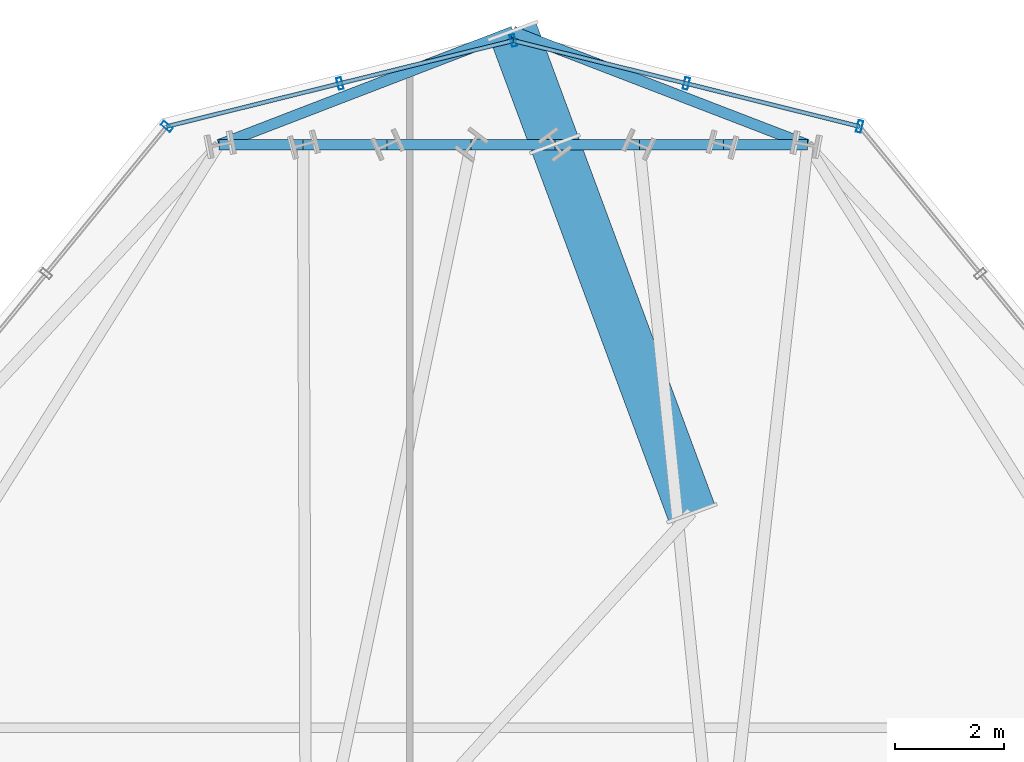
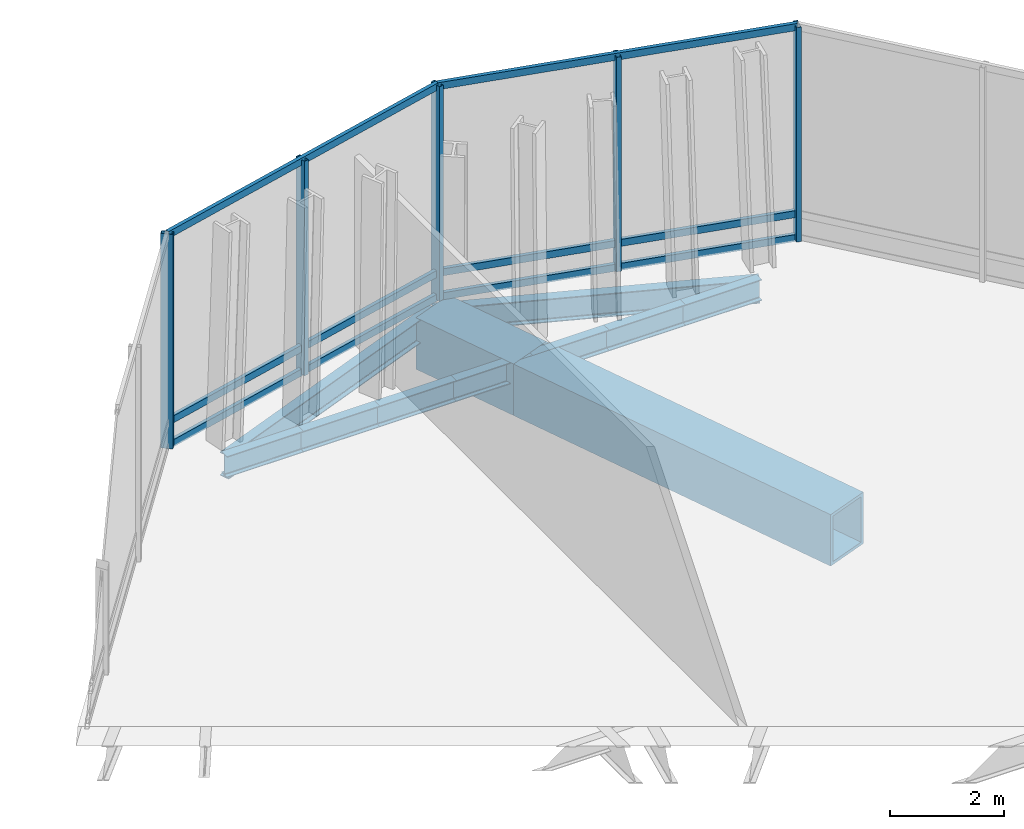
# One storey, part 17 of 26: 11 beams, 11 members, 3 elements without a shape of their own.
"""IFC4 building model written with IfcOpenShell, lengths in metres."""

import ifcopenshell
import ifcopenshell.guid

model = None  # the IFC model being written
_history = None  # IfcOwnerHistory: only IFC2X3 demands one
_inside = {}  # id of a spatial element -> (the spatial element, [elements in it])
_under = {}  # id of a project, library or spatial element -> (it, [spatial elements below it])
_declared = {}  # id of a project -> (the project, [libraries it declares])
_typed = {}  # id of a type object -> (the type object, [elements of that type])
_made_of = {}  # id of a material, layer set ... -> (it, [elements and type objects made of it])


def new_model(schema):
    """Start an empty IFC model of exactly this schema.

    Asked for "IFC4X3", IfcOpenShell would pick the latest addendum, in which some entities
    have other attributes; the version numbers below select the first issue.
    IFC2X3 requires an IfcOwnerHistory on every rooted entity: one is made here for all.
    """
    global model, _history
    if schema == "IFC4X3":
        model = ifcopenshell.file(schema_version=(4, 3, 0, 0))
    else:
        model = ifcopenshell.file(schema=schema)
    _inside.clear()
    _under.clear()
    _declared.clear()
    _typed.clear()
    _made_of.clear()
    _history = None
    if model.schema == "IFC2X3":
        org = make("IfcOrganization", Name="unknown")
        user = make(
            "IfcPersonAndOrganization",
            ThePerson=make("IfcPerson", FamilyName="unknown"),
            TheOrganization=org,
        )
        app = make(
            "IfcApplication",
            ApplicationDeveloper=org,
            Version="unknown",
            ApplicationFullName="unknown",
            ApplicationIdentifier="unknown",
        )
        _history = make(
            "IfcOwnerHistory",
            OwningUser=user,
            OwningApplication=app,
            ChangeAction="ADDED",
            CreationDate=0,
        )
    return model


def make(cls, **values):
    """One entity of the class cls with the attributes given. An attribute that is None is left unset."""
    return model.create_entity(
        cls, **{name: value for name, value in values.items() if value is not None}
    )


def rooted(cls, **values):
    """An entity with a GlobalId (a new one), such as an element, a storey or a relation."""
    return make(cls, GlobalId=ifcopenshell.guid.new(), OwnerHistory=_history, **values)


def si_unit(unit_type, name, prefix=None):
    """IfcSIUnit, for example si_unit("LENGTHUNIT", "METRE", prefix="MILLI")."""
    return make("IfcSIUnit", UnitType=unit_type, Prefix=prefix, Name=name)


def assignment(units):
    """IfcUnitAssignment: the units of a project."""
    return None if units is None else make("IfcUnitAssignment", Units=units)


def point(xyz):
    """IfcCartesianPoint."""
    return None if xyz is None else make("IfcCartesianPoint", Coordinates=xyz)


def direction(xyz):
    """IfcDirection."""
    return None if xyz is None else make("IfcDirection", DirectionRatios=xyz)


def frame(location, z_axis=None, x_axis=None):
    """IfcAxis2Placement3D, a coordinate frame: its origin and axes. An axis left out is left unset."""
    return make(
        "IfcAxis2Placement3D",
        Location=point(location),
        Axis=direction(z_axis),
        RefDirection=direction(x_axis),
    )


def frame_2d(location, x_axis=None):
    """IfcAxis2Placement2D, a coordinate frame in the plane: its origin and x axis."""
    return make(
        "IfcAxis2Placement2D", Location=point(location), RefDirection=direction(x_axis)
    )


def origin():
    """The frame at (0, 0, 0) with its axes left unset."""
    return frame((0.0, 0.0, 0.0))


def origin_2d():
    """The frame at (0, 0) in the plane with its x axis left unset."""
    return frame_2d((0.0, 0.0))


def place(relative_to, where):
    """IfcLocalPlacement: puts the frame where relative to a parent placement (None: the world)."""
    return make(
        "IfcLocalPlacement", PlacementRelTo=relative_to, RelativePlacement=where
    )


def context(
    kind, dimensions, precision=None, world=None, true_north=None, identifier=None
):
    """IfcGeometricRepresentationContext, for example the 3D "Model" context."""
    return make(
        "IfcGeometricRepresentationContext",
        ContextIdentifier=identifier,
        ContextType=kind,
        CoordinateSpaceDimension=dimensions,
        Precision=precision,
        WorldCoordinateSystem=world,
        TrueNorth=true_north,
    )


def subcontext(parent, identifier, kind, view, scale=None):
    """IfcGeometricRepresentationSubContext, for example "Body" below "Model"."""
    return make(
        "IfcGeometricRepresentationSubContext",
        ContextIdentifier=identifier,
        ContextType=kind,
        ParentContext=parent,
        TargetScale=scale,
        TargetView=view,
    )


def project(units=None, contexts=None):
    """IfcProject with its units and contexts."""
    return rooted(
        "IfcProject",
        Name="project",
        RepresentationContexts=contexts,
        UnitsInContext=assignment(units),
    )


def spatial(cls, under=None, at=None, **own):
    """A site, building, storey or space (cls), placed at a placement, below another one or the project."""
    s = rooted(cls, ObjectPlacement=at, **own)
    if under is not None:
        _under.setdefault(under.id(), (under, []))[1].append(s)
    return s


def profile(cls, at=None, kind="AREA", **sizes):
    """A parametric profile (cls). Its sizes go by their IFC names, for example OverallWidth=200.0."""
    return make(cls, ProfileType=kind, Position=at, **sizes)


def hollow_rectangle(**sizes):
    """IfcRectangleHollowProfileDef."""
    return profile("IfcRectangleHollowProfileDef", **sizes)


def i_section(**sizes):
    """IfcIShapeProfileDef."""
    return profile("IfcIShapeProfileDef", **sizes)


def extrude(swept, where, along, depth):
    """IfcExtrudedAreaSolid: the profile swept, set in the frame where, extruded along a direction by depth."""
    return make(
        "IfcExtrudedAreaSolid",
        SweptArea=swept,
        Position=where,
        ExtrudedDirection=direction(along),
        Depth=depth,
    )


def shape(context_of_items, identifier, shape_type, items):
    """IfcShapeRepresentation: the items that make up one representation, for example the "Body"."""
    return make(
        "IfcShapeRepresentation",
        ContextOfItems=context_of_items,
        RepresentationIdentifier=identifier,
        RepresentationType=shape_type,
        Items=items,
    )


def material(Name=None, Category=None):
    """IfcMaterial."""
    return make("IfcMaterial", Name=Name, Category=Category)


def layer(
    of_material, thickness, ventilated=None, Name=None, Category=None, Priority=None
):
    """IfcMaterialLayer: one layer of a wall or slab, of a material (None: an air gap)."""
    return make(
        "IfcMaterialLayer",
        Material=of_material,
        LayerThickness=thickness,
        IsVentilated=ventilated,
        Name=Name,
        Category=Category,
        Priority=Priority,
    )


def layer_set(layers, Name=None):
    """IfcMaterialLayerSet."""
    return make("IfcMaterialLayerSet", MaterialLayers=layers, LayerSetName=Name)


def material_profile(
    of_material, cross_section, Name=None, Category=None, Priority=None
):
    """IfcMaterialProfile: a cross section and its material."""
    return make(
        "IfcMaterialProfile",
        Name=Name,
        Material=of_material,
        Profile=cross_section,
        Priority=Priority,
        Category=Category,
    )


def profile_set(profiles, Name=None, composite=None):
    """IfcMaterialProfileSet."""
    return make(
        "IfcMaterialProfileSet",
        Name=Name,
        MaterialProfiles=profiles,
        CompositeProfile=composite,
    )


def made_of(thing, what):
    """Note that an element or type object is made of a material, layer set ...; save() writes the relation."""
    if what is not None:
        _made_of.setdefault(what.id(), (what, []))[1].append(thing)
    return thing


def type_object(cls, material=None, **own):
    """A type object (cls), such as IfcWallType, which elements share."""
    return made_of(rooted(cls, **own), material)


def element(
    cls,
    number,
    at=None,
    inside=None,
    cuts=None,
    type_object=None,
    material=None,
    context=None,
    identifier="Body",
    shape_type=None,
    held_by="IfcProductDefinitionShape",
    body=None,
    shapes=None,
    **own,
):
    """One element of the class cls, such as IfcWall. Its Tag is "e" and its number.

    at: its placement. inside: the storey or other place that contains it. cuts: it is an
    opening in that element (IfcRelVoidsElement). A single representation is given by context,
    identifier, shape_type and body (its items); several are given by shapes. held_by: the class
    of the entity that holds the representations. save() writes the other relations.
    """
    e = rooted(cls, Tag="e%d" % number, ObjectPlacement=at, **own)
    if body is not None:
        shapes = [shape(context, identifier, shape_type, body)]
    if shapes is not None:
        e.Representation = make(held_by, Representations=shapes)
    if inside is not None:
        _inside.setdefault(inside.id(), (inside, []))[1].append(e)
    if cuts is not None:
        rooted(
            "IfcRelVoidsElement", RelatingBuildingElement=cuts, RelatedOpeningElement=e
        )
    if type_object is not None:
        _typed.setdefault(type_object.id(), (type_object, []))[1].append(e)
    return made_of(e, material)


def aggregate(whole, parts):
    """IfcRelAggregates: a whole, such as a stair, and the parts it consists of."""
    return rooted("IfcRelAggregates", RelatingObject=whole, RelatedObjects=parts)


def save(model, path):
    """Write the relations noted so far, then the file.

    IfcRelAggregates (storeys below a building ...), IfcRelContainedInSpatialStructure (elements
    in a storey), IfcRelDefinesByType, IfcRelAssociatesMaterial and IfcRelDeclares: one each for
    every whole, place, type object, material and project.
    """
    for whole, parts in _under.values():
        aggregate(whole, parts)
    for where, things in _inside.values():
        rooted(
            "IfcRelContainedInSpatialStructure",
            RelatedElements=things,
            RelatingStructure=where,
        )
    for kind, things in _typed.values():
        rooted("IfcRelDefinesByType", RelatedObjects=things, RelatingType=kind)
    for what, things in _made_of.values():
        rooted("IfcRelAssociatesMaterial", RelatedObjects=things, RelatingMaterial=what)
    for by, libraries in _declared.values():
        rooted("IfcRelDeclares", RelatingContext=by, RelatedDefinitions=libraries)
    model.write(path)


model = new_model("IFC4")

# Units and contexts
model_context = context("Model", 3, precision=1e-05, world=origin(), true_north=direction((0.0, 1.0)))
body_context = subcontext(model_context, "Body", "Model", "MODEL_VIEW")
ifc_project = project(units=[si_unit("LENGTHUNIT", "METRE"), si_unit("AREAUNIT", "SQUARE_METRE"), si_unit("VOLUMEUNIT", "CUBIC_METRE"), si_unit("PLANEANGLEUNIT", "RADIAN"), si_unit("MASSUNIT", "GRAM", prefix="KILO")], contexts=[model_context])

# Site, building, storey
site_placement = place(None, origin())
site = spatial("IfcSite", under=ifc_project, at=site_placement, CompositionType="ELEMENT")
building_placement = place(site_placement, origin())
building = spatial("IfcBuilding", under=site, at=building_placement, Name="Ndaravel Arena Tower", CompositionType="ELEMENT")
storey_placement = place(building_placement, frame((0.0, 0.0, 122.199951171875)))
storey = spatial("IfcBuildingStorey", under=building, at=storey_placement, Name="L28", CompositionType="ELEMENT", Elevation=122.199951171875)

# Beams
ifc_material_1 = material(Name="Steel S355", Category="steel")
ifc_material_profile_1 = material_profile(ifc_material_1, i_section(OverallWidth=0.18994140625, OverallDepth=0.449951171875, WebThickness=0.009521484375, FlangeThickness=0.0146484375, FilletRadius=0.02099609375, at=origin_2d()), Name="IPE 450")
ifc_profile_set_1 = profile_set([ifc_material_profile_1], Name="Steel S355")
beam_type_1 = type_object("IfcBeamType", Name="BM-SPAN-IPE450", PredefinedType="SPANDREL", material=ifc_profile_set_1)
beam_1_placement = place(storey_placement, frame((47.401611328125, 45.7041015625, -0.5048828125), z_axis=(-1.0, 0.0, 0.0), x_axis=(0.0, -1.0, 0.0)))
element("IfcBeam", 1, at=beam_1_placement, inside=storey, type_object=beam_type_1, Name="L28 Perimeter Spandrel Beam SP-11", PredefinedType="SPANDREL", context=body_context, shape_type="SweptSolid", body=[
    extrude(i_section(OverallWidth=0.18994140625, OverallDepth=0.449951171875, WebThickness=0.009521484375, FlangeThickness=0.0146484375, FilletRadius=0.02099609375, at=origin_2d()), origin(), (0.0, 0.0, 1.0), 1.543212890625),
])
beam_2_placement = place(storey_placement, frame((45.8583984375, 45.7041015625, -0.5048828125), z_axis=(-1.0, 0.0, 0.0), x_axis=(0.0, -1.0, 0.0)))
element("IfcBeam", 2, at=beam_2_placement, inside=storey, type_object=beam_type_1, Name="L28 Perimeter Spandrel Beam SP-12", PredefinedType="SPANDREL", context=body_context, shape_type="SweptSolid", body=[
    extrude(i_section(OverallWidth=0.18994140625, OverallDepth=0.449951171875, WebThickness=0.009521484375, FlangeThickness=0.0146484375, FilletRadius=0.02099609375, at=origin_2d()), origin(), (0.0, 0.0, 1.0), 1.54345703125),
])
beam_3_placement = place(storey_placement, frame((44.31494140625, 45.7041015625, -0.5048828125), z_axis=(-1.0, 0.0, 0.0), x_axis=(0.0, -1.0, 0.0)))
element("IfcBeam", 3, at=beam_3_placement, inside=storey, type_object=beam_type_1, Name="L28 Perimeter Spandrel Beam SP-13", PredefinedType="SPANDREL", context=body_context, shape_type="SweptSolid", body=[
    extrude(i_section(OverallWidth=0.18994140625, OverallDepth=0.449951171875, WebThickness=0.009521484375, FlangeThickness=0.0146484375, FilletRadius=0.02099609375, at=origin_2d()), origin(), (0.0, 0.0, 1.0), 1.543212890625),
])
beam_4_placement = place(storey_placement, frame((42.771728515625, 45.7041015625, -0.5048828125), z_axis=(-1.0, 0.0, 0.0), x_axis=(0.0, -1.0, 0.0)))
element("IfcBeam", 4, at=beam_4_placement, inside=storey, type_object=beam_type_1, Name="L28 Perimeter Spandrel Beam SP-14", PredefinedType="SPANDREL", context=body_context, shape_type="SweptSolid", body=[
    extrude(i_section(OverallWidth=0.18994140625, OverallDepth=0.449951171875, WebThickness=0.009521484375, FlangeThickness=0.0146484375, FilletRadius=0.02099609375, at=origin_2d()), origin(), (0.0, 0.0, 1.0), 1.54345703125),
])
beam_5_placement = place(storey_placement, frame((41.228271484375, 45.7041015625, -0.5048828125), z_axis=(-1.0, 0.0, 0.0), x_axis=(0.0, -1.0, 0.0)))
element("IfcBeam", 5, at=beam_5_placement, inside=storey, type_object=beam_type_1, Name="L28 Perimeter Spandrel Beam SP-15", PredefinedType="SPANDREL", context=body_context, shape_type="SweptSolid", body=[
    extrude(i_section(OverallWidth=0.18994140625, OverallDepth=0.449951171875, WebThickness=0.009521484375, FlangeThickness=0.0146484375, FilletRadius=0.02099609375, at=origin_2d()), origin(), (0.0, 0.0, 1.0), 1.543212890625),
])
beam_6_placement = place(storey_placement, frame((39.68505859375, 45.7041015625, -0.5048828125), z_axis=(-1.0, 0.0, 0.0), x_axis=(0.0, -1.0, 0.0)))
element("IfcBeam", 6, at=beam_6_placement, inside=storey, type_object=beam_type_1, Name="L28 Perimeter Spandrel Beam SP-16", PredefinedType="SPANDREL", context=body_context, shape_type="SweptSolid", body=[
    extrude(i_section(OverallWidth=0.18994140625, OverallDepth=0.449951171875, WebThickness=0.009521484375, FlangeThickness=0.0146484375, FilletRadius=0.02099609375, at=origin_2d()), origin(), (0.0, 0.0, 1.0), 1.54345703125),
])
beam_7_placement = place(storey_placement, frame((38.1416015625, 45.7041015625, -0.5048828125), z_axis=(-1.0, 0.0, 0.0), x_axis=(0.0, -1.0, 0.0)))
element("IfcBeam", 7, at=beam_7_placement, inside=storey, type_object=beam_type_1, Name="L28 Perimeter Spandrel Beam SP-17", PredefinedType="SPANDREL", context=body_context, shape_type="SweptSolid", body=[
    extrude(i_section(OverallWidth=0.18994140625, OverallDepth=0.449951171875, WebThickness=0.009521484375, FlangeThickness=0.0146484375, FilletRadius=0.02099609375, at=origin_2d()), origin(), (0.0, 0.0, 1.0), 1.543212890625),
])
ifc_material_2 = material(Name="Steel S355", Category="steel")
ifc_material_profile_2 = material_profile(ifc_material_2, i_section(OverallWidth=0.199951171875, OverallDepth=0.5, WebThickness=0.01025390625, FlangeThickness=0.01611328125, FilletRadius=0.02099609375, at=origin_2d()), Name="IPE 500")
ifc_profile_set_2 = profile_set([ifc_material_profile_2], Name="Steel S355")
beam_type_2 = type_object("IfcBeamType", Name="BM-SPAN-IPE500", PredefinedType="SPANDREL", material=ifc_profile_set_2)
for number, where, z_axis, x_axis, name in (
    (8, (47.401611328125, 45.7041015625, -0.530029296875), (-0.933212917453, 0.359323879945, 0.0), (-0.359323879945, -0.933212917453, 0.0), "L28 Star Facet Edge Beam SEA-5"),
    (9, (42.0, 47.783935546875, -0.530029296875), (-0.933212917453, -0.359323879945, 0.0), (0.359323879945, -0.933212917453, 0.0), "L28 Star Facet Edge Beam SEB-5"),
):
    element("IfcBeam", number, at=place(storey_placement, frame(where, z_axis=z_axis, x_axis=x_axis)), inside=storey, type_object=beam_type_2, Name=name, PredefinedType="SPANDREL", context=body_context, shape_type="SweptSolid", body=[
        extrude(i_section(OverallWidth=0.199951171875, OverallDepth=0.5, WebThickness=0.01025390625, FlangeThickness=0.01611328125, FilletRadius=0.02099609375, at=origin_2d()), origin(), (0.0, 0.0, 1.0), 5.7880859375),
    ])
ifc_material_3 = material(Name="Steel S460", Category="steel")
ifc_material_profile_3 = material_profile(ifc_material_3, hollow_rectangle(XDim=0.89990234375, YDim=1.10009765625, WallThickness=0.06494140625, at=origin_2d()), Name="BOX 1100x900x65")
ifc_profile_set_3 = profile_set([ifc_material_profile_3], Name="Steel S460")
beam_type_3 = type_object("IfcBeamType", Name="BM-STAR-BOX1100", PredefinedType="BEAM", material=ifc_profile_set_3)
beam_8_placement = place(storey_placement, frame((45.276123046875, 38.95361328125, -0.829833984375), z_axis=(-0.347828937155, 0.93755801446, 0.0), x_axis=(-0.93755801446, -0.347828937155, 0.0)))
element("IfcBeam", 10, at=beam_8_placement, inside=storey, type_object=beam_type_3, Name="L28 Star Cantilever Backspan Girder SBG-5", PredefinedType="BEAM", context=body_context, shape_type="SweptSolid", body=[
    extrude(hollow_rectangle(XDim=0.89990234375, YDim=1.10009765625, WallThickness=0.06494140625, at=origin_2d()), origin(), (0.0, 0.0, 1.0), 7.2001953125),
])
beam_9_placement = place(storey_placement, frame((42.771728515625, 45.7041015625, -0.829833984375), z_axis=(-0.347877036351, 0.937540168515, 0.0), x_axis=(-0.937540168515, -0.347877036351, 0.0)))
element("IfcBeam", 11, at=beam_9_placement, inside=storey, type_object=beam_type_3, Name="L28 Star Cantilever Tip Girder SCG-5", PredefinedType="BEAM", context=body_context, shape_type="SweptSolid", body=[
    extrude(hollow_rectangle(XDim=0.89990234375, YDim=1.10009765625, WallThickness=0.06494140625, at=origin_2d()), origin(), (0.0, 0.0, 1.0), 2.218505859375),
])

# Curtain wall, members
ifc_material_4 = material(Name="Aluminium", Category="aluminium")
ifc_layer = layer(ifc_material_4, 0.179931640625)
ifc_layer_set = layer_set([ifc_layer], Name="Aluminium")
curtain_wall_type = type_object("IfcCurtainWallType", Name="CW-SYS-04", PredefinedType="NOTDEFINED", material=ifc_layer_set)
curtain_wall_1_placement = place(storey_placement, origin())
curtain_wall_1 = element("IfcCurtainWall", 12, at=curtain_wall_1_placement, inside=storey, type_object=curtain_wall_type, Name="L28 Faceted Crystal Curtain Wall CW-L28-E08", PredefinedType="NOTDEFINED")
ifc_material_5 = material(Name="Aluminium", Category="aluminium")
ifc_material_profile_4 = material_profile(ifc_material_5, hollow_rectangle(XDim=0.090087890625, YDim=0.219970703125, WallThickness=0.0048828125, at=origin_2d()), Name="CW MULLION 90x220x5")
ifc_profile_set_4 = profile_set([ifc_material_profile_4], Name="Aluminium")
member_type_1 = type_object("IfcMemberType", Name="MEM-CW-MUL220", PredefinedType="MULLION", material=ifc_profile_set_4)
member_1_placement = place(storey_placement, frame((48.3603515625, 46.04150390625, 0.0), z_axis=(0.0, 0.0, 1.0), x_axis=(-0.970586363623, 0.24075321545, 0.0)))
member_1 = element("IfcMember", 13, at=member_1_placement, type_object=member_type_1, Name="CW-L28-E08 Mullion 00", PredefinedType="MULLION", context=body_context, shape_type="SweptSolid", body=[
    extrude(hollow_rectangle(XDim=0.090087890625, YDim=0.219970703125, WallThickness=0.0048828125, at=origin_2d()), origin(), (0.0, 0.0, 1.0), 4.580078125),
])
member_2_placement = place(storey_placement, frame((45.18017578125, 46.830322265625, 0.0), z_axis=(0.0, 0.0, 1.0), x_axis=(-0.970586363623, 0.24075321545, 0.0)))
member_2 = element("IfcMember", 14, at=member_2_placement, type_object=member_type_1, Name="CW-L28-E08 Mullion 01", PredefinedType="MULLION", context=body_context, shape_type="SweptSolid", body=[
    extrude(hollow_rectangle(XDim=0.090087890625, YDim=0.219970703125, WallThickness=0.0048828125, at=origin_2d()), origin(), (0.0, 0.0, 1.0), 4.580078125),
])

curtain_wall_2_placement = place(storey_placement, origin())
curtain_wall_2 = element("IfcCurtainWall", 15, at=curtain_wall_2_placement, inside=storey, type_object=curtain_wall_type, Name="L28 Faceted Crystal Curtain Wall CW-L28-E09", PredefinedType="NOTDEFINED")
member_3_placement = place(storey_placement, frame((42.0, 47.619140625, 0.0), z_axis=(0.0, 0.0, 1.0), x_axis=(-0.970586363623, -0.24075321545, 0.0)))
member_3 = element("IfcMember", 16, at=member_3_placement, type_object=member_type_1, Name="CW-L28-E09 Mullion 00", PredefinedType="MULLION", context=body_context, shape_type="SweptSolid", body=[
    extrude(hollow_rectangle(XDim=0.090087890625, YDim=0.219970703125, WallThickness=0.0048828125, at=origin_2d()), origin(), (0.0, 0.0, 1.0), 4.580078125),
])
member_4_placement = place(storey_placement, frame((38.81982421875, 46.830322265625, 0.0), z_axis=(0.0, 0.0, 1.0), x_axis=(-0.970586363623, -0.24075321545, 0.0)))
member_4 = element("IfcMember", 17, at=member_4_placement, type_object=member_type_1, Name="CW-L28-E09 Mullion 01", PredefinedType="MULLION", context=body_context, shape_type="SweptSolid", body=[
    extrude(hollow_rectangle(XDim=0.090087890625, YDim=0.219970703125, WallThickness=0.0048828125, at=origin_2d()), origin(), (0.0, 0.0, 1.0), 4.580078125),
])

# Curtain wall, member
curtain_wall_3_placement = place(storey_placement, origin())
curtain_wall_3 = element("IfcCurtainWall", 18, at=curtain_wall_3_placement, inside=storey, type_object=curtain_wall_type, Name="L28 Faceted Crystal Curtain Wall CW-L28-E10", PredefinedType="NOTDEFINED")
member_5_placement = place(storey_placement, frame((35.6396484375, 46.04150390625, 0.0), z_axis=(0.0, 0.0, 1.0), x_axis=(-0.633934458857, -0.773386773791, 0.0)))
member_5 = element("IfcMember", 19, at=member_5_placement, type_object=member_type_1, Name="CW-L28-E10 Mullion 00", PredefinedType="MULLION", context=body_context, shape_type="SweptSolid", body=[
    extrude(hollow_rectangle(XDim=0.090087890625, YDim=0.219970703125, WallThickness=0.0048828125, at=origin_2d()), origin(), (0.0, 0.0, 1.0), 4.580078125),
])
aggregate(curtain_wall_3, [member_5])

# Member
ifc_material_6 = material(Name="Aluminium", Category="aluminium")
ifc_material_profile_5 = material_profile(ifc_material_6, hollow_rectangle(XDim=0.074951171875, YDim=0.14990234375, WallThickness=0.00390625, at=origin_2d()), Name="CW TRANSOM 75x150x4")
ifc_profile_set_5 = profile_set([ifc_material_profile_5], Name="Aluminium")
member_type_2 = type_object("IfcMemberType", Name="MEM-CW-TRN150", PredefinedType="USERDEFINED", material=ifc_profile_set_5)
member_6_placement = place(storey_placement, frame((48.3603515625, 46.04150390625, 0.0400390625), z_axis=(-0.970587921481, 0.240746934923, 0.0), x_axis=(-0.240746934923, -0.970587921481, 0.0)))
member_6 = element("IfcMember", 20, at=member_6_placement, type_object=member_type_2, Name="CW-L28-E08 Transom 01", ObjectType="TRANSOM", PredefinedType="USERDEFINED", context=body_context, shape_type="SweptSolid", body=[
    extrude(hollow_rectangle(XDim=0.074951171875, YDim=0.14990234375, WallThickness=0.00390625, at=origin_2d()), origin(), (0.0, 0.0, 1.0), 6.552978515625),
])

member_7_placement = place(storey_placement, frame((48.3603515625, 46.04150390625, 0.550048828125), z_axis=(-0.970587921481, 0.240746934923, 0.0), x_axis=(-0.240746934923, -0.970587921481, 0.0)))
member_7 = element("IfcMember", 21, at=member_7_placement, type_object=member_type_2, Name="CW-L28-E08 Transom 02", ObjectType="TRANSOM", PredefinedType="USERDEFINED", context=body_context, shape_type="SweptSolid", body=[
    extrude(hollow_rectangle(XDim=0.074951171875, YDim=0.14990234375, WallThickness=0.00390625, at=origin_2d()), origin(), (0.0, 0.0, 1.0), 6.552978515625),
])

member_8_placement = place(storey_placement, frame((48.3603515625, 46.04150390625, 4.5400390625), z_axis=(-0.970587921481, 0.240746934923, 0.0), x_axis=(-0.240746934923, -0.970587921481, 0.0)))
member_8 = element("IfcMember", 22, at=member_8_placement, type_object=member_type_2, Name="CW-L28-E08 Transom 03", ObjectType="TRANSOM", PredefinedType="USERDEFINED", context=body_context, shape_type="SweptSolid", body=[
    extrude(hollow_rectangle(XDim=0.074951171875, YDim=0.14990234375, WallThickness=0.00390625, at=origin_2d()), origin(), (0.0, 0.0, 1.0), 6.552978515625),
])

aggregate(curtain_wall_1, [member_1, member_2, member_6, member_7, member_8])

member_9_placement = place(storey_placement, frame((42.0, 47.619140625, 0.0400390625), z_axis=(-0.970587921481, -0.240746934923, 0.0), x_axis=(0.240746934923, -0.970587921481, 0.0)))
member_9 = element("IfcMember", 23, at=member_9_placement, type_object=member_type_2, Name="CW-L28-E09 Transom 01", ObjectType="TRANSOM", PredefinedType="USERDEFINED", context=body_context, shape_type="SweptSolid", body=[
    extrude(hollow_rectangle(XDim=0.074951171875, YDim=0.14990234375, WallThickness=0.00390625, at=origin_2d()), origin(), (0.0, 0.0, 1.0), 6.552978515625),
])

member_10_placement = place(storey_placement, frame((42.0, 47.619140625, 0.550048828125), z_axis=(-0.970587921481, -0.240746934923, 0.0), x_axis=(0.240746934923, -0.970587921481, 0.0)))
member_10 = element("IfcMember", 24, at=member_10_placement, type_object=member_type_2, Name="CW-L28-E09 Transom 02", ObjectType="TRANSOM", PredefinedType="USERDEFINED", context=body_context, shape_type="SweptSolid", body=[
    extrude(hollow_rectangle(XDim=0.074951171875, YDim=0.14990234375, WallThickness=0.00390625, at=origin_2d()), origin(), (0.0, 0.0, 1.0), 6.552978515625),
])

member_11_placement = place(storey_placement, frame((42.0, 47.619140625, 4.5400390625), z_axis=(-0.970587921481, -0.240746934923, 0.0), x_axis=(0.240746934923, -0.970587921481, 0.0)))
member_11 = element("IfcMember", 25, at=member_11_placement, type_object=member_type_2, Name="CW-L28-E09 Transom 03", ObjectType="TRANSOM", PredefinedType="USERDEFINED", context=body_context, shape_type="SweptSolid", body=[
    extrude(hollow_rectangle(XDim=0.074951171875, YDim=0.14990234375, WallThickness=0.00390625, at=origin_2d()), origin(), (0.0, 0.0, 1.0), 6.552978515625),
])

aggregate(curtain_wall_2, [member_3, member_4, member_9, member_10, member_11])

save(model, "model.ifc")
